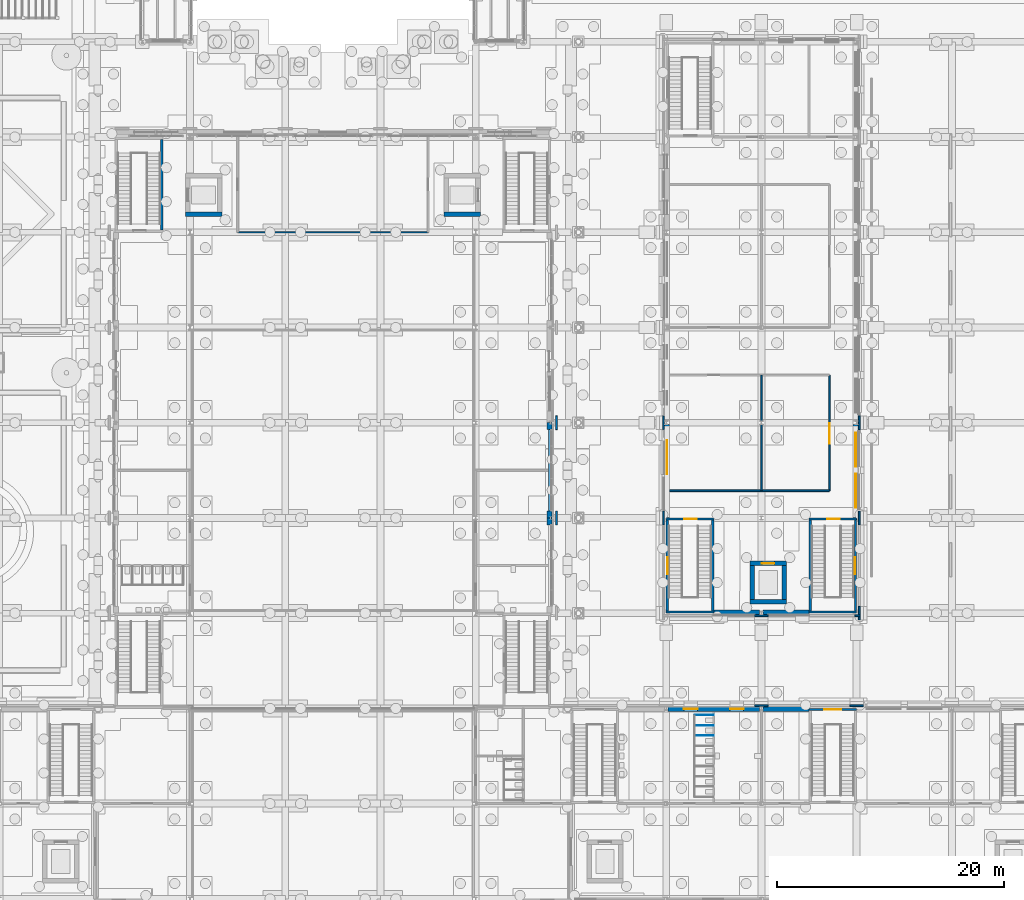
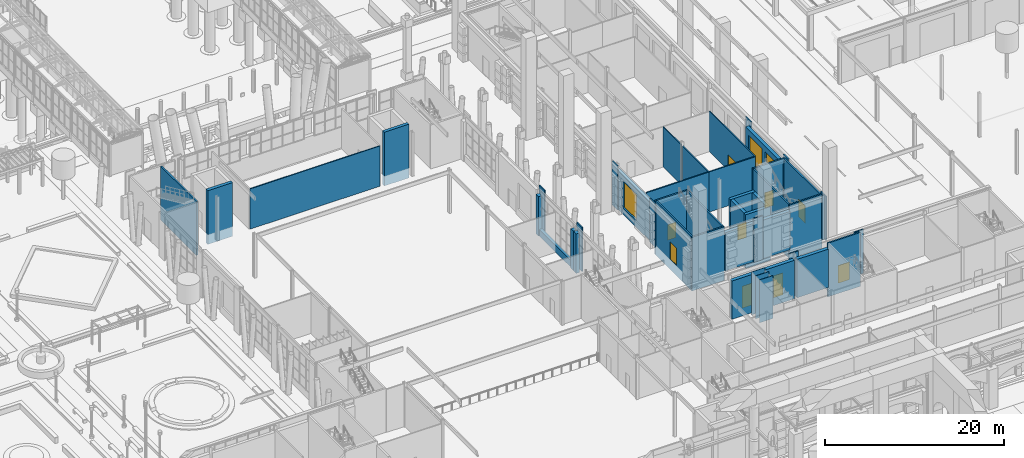
# One storey, part 95 of 222: 46 walls, 7 doors, 5 windows, 12 openings.
"""IFC4 building model written with IfcOpenShell, lengths in metres."""

from ifc_helpers import new_model, si_unit, direction, frame, frame_2d, origin, place, context, subcontext, project, spatial, rectangle, extrude, material, layer, layer_set, type_object, element, fill, save


model = new_model("IFC4")

# Units and contexts
model_context = context("Model", 3, precision=1e-05, world=origin(), true_north=direction((0.0, 1.0)))
body_context = subcontext(model_context, "Body", "Model", "MODEL_VIEW")
ifc_project = project(units=[si_unit("LENGTHUNIT", "METRE"), si_unit("AREAUNIT", "SQUARE_METRE"), si_unit("VOLUMEUNIT", "CUBIC_METRE"), si_unit("PLANEANGLEUNIT", "RADIAN"), si_unit("MASSUNIT", "GRAM", prefix="KILO")], contexts=[model_context])

# Site, building, storey
site_placement = place(None, origin())
site = spatial("IfcSite", under=ifc_project, at=site_placement, CompositionType="ELEMENT")
building_placement = place(site_placement, origin())
building = spatial("IfcBuilding", under=site, at=building_placement, Name="Sava Quay Ferry Terminal", CompositionType="ELEMENT")
storey_placement = place(building_placement, origin())
storey = spatial("IfcBuildingStorey", under=building, at=storey_placement, Name="L00", CompositionType="ELEMENT", Elevation=0.0)

# Walls
ifc_material_1 = material(Name="High-pressure laminate panel")
ifc_layer_1 = layer(ifc_material_1, 0.050048828125)
ifc_layer_set_1 = layer_set([ifc_layer_1], Name="High-pressure laminate panel")
wall_type_1 = type_object("IfcWallType", Name="Cubicle partition 50", PredefinedType="PARTITIONING", material=ifc_layer_set_1)
for number, where, z_axis, x_axis, name in (
    (1, (96.60009765625, 48.0, 0.0), (0.0, 0.0, 1.0), (-1.0, 0.0, 0.0), "Cubicle partition panel"),
    (2, (96.60009765625, 48.89990234375, 0.0), (0.0, 0.0, 1.0), (-1.0, 0.0, 0.0), "Cubicle partition panel"),
    (3, (96.60009765625, 49.800048828125, 0.0), (0.0, 0.0, 1.0), (-1.0, 0.0, 0.0), "Cubicle partition panel"),
):
    element("IfcWall", number, at=place(storey_placement, frame(where, z_axis=z_axis, x_axis=x_axis)), inside=storey, type_object=wall_type_1, Name=name, PredefinedType="PARTITIONING", context=body_context, shape_type="SweptSolid", body=[
        extrude(rectangle(XDim=1.7001953125, YDim=0.050048828125, at=frame_2d((0.85009765625, 0.0))), origin(), (0.0, 0.0, 1.0), 5.8701171875),
    ])
ifc_material_2 = material(Name="Limestone Mutalj", Category="masonry")
ifc_layer_2 = layer(ifc_material_2, 0.35009765625)
ifc_layer_set_2 = layer_set([ifc_layer_2], Name="Limestone Mutalj")
wall_type_2 = type_object("IfcWallType", Name="Limestone kerb and parapet 350", PredefinedType="SOLIDWALL", material=ifc_layer_set_2)
wall_1_placement = place(storey_placement, frame((82.175048828125, 67.800048828125, 0.0), z_axis=(0.0, 0.0, 1.0), x_axis=(0.0, 1.0, 0.0)))
element("IfcWall", 4, at=wall_1_placement, inside=storey, type_object=wall_type_2, Name="External wall D", PredefinedType="SOLIDWALL", context=body_context, shape_type="SweptSolid", body=[
    extrude(rectangle(XDim=7.199951171875, YDim=0.35009765625, at=frame_2d((3.60009765625, 0.0))), origin(), (0.0, 0.0, 1.0), 0.89990234375),
])
ifc_material_3 = material(Name="Limestone Mutalj", Category="masonry")
ifc_layer_3 = layer(ifc_material_3, 0.14990234375)
ifc_layer_set_3 = layer_set([ifc_layer_3], Name="Limestone Mutalj")
wall_type_3 = type_object("IfcWallType", Name="Pier cladding 150", PredefinedType="SOLIDWALL", material=ifc_layer_set_3)
for number, where, z_axis, x_axis, name in (
    (5, (100.199951171875, 50.635009765625, 0.0), (0.0, 0.0, 1.0), (1.0, 0.0, 0.0), "Pier P-N grid 100.8"),
    (6, (108.60009765625, 50.635009765625, 0.0), (0.0, 0.0, 1.0), (1.0, 0.0, 0.0), "Pier P-N grid 109.2"),
    (7, (100.199951171875, 58.56494140625, 0.0), (0.0, 0.0, 1.0), (1.0, 0.0, 0.0), "Pier O-S grid 100.8"),
):
    element("IfcWall", number, at=place(storey_placement, frame(where, z_axis=z_axis, x_axis=x_axis)), inside=storey, type_object=wall_type_3, Name=name, PredefinedType="SOLIDWALL", context=body_context, shape_type="SweptSolid", body=[
        extrude(rectangle(XDim=1.199951171875, YDim=0.14990234375, at=frame_2d((0.60009765625, 0.0))), origin(), (0.0, 0.0, 1.0), 6.0),
    ])
wall_2_placement = place(storey_placement, frame((109.050048828125, 58.56494140625, 0.0), z_axis=(0.0, 0.0, 1.0), x_axis=(1.0, 0.0, 0.0)))
element("IfcWall", 8, at=wall_2_placement, inside=storey, type_object=wall_type_3, Name="Pier O-S grid 109.2", PredefinedType="SOLIDWALL", context=body_context, shape_type="SweptSolid", body=[
    extrude(rectangle(XDim=0.449951171875, YDim=0.14990234375, at=frame_2d((0.22509765625, 0.0))), origin(), (0.0, 0.0, 1.0), 6.0),
])
for number, where, z_axis, x_axis, name in (
    (9, (92.175048828125, 66.60009765625, 0.0), (0.0, 0.0, 1.0), (0.0, 1.0, 0.0), "Pier O-W grid 67.2"),
    (10, (92.175048828125, 75.0, 0.0), (0.0, 0.0, 1.0), (0.0, 1.0, 0.0), "Pier O-W grid 75.6"),
    (11, (109.425048828125, 58.199951171875, 0.0), (0.0, 0.0, 1.0), (0.0, 1.0, 0.0), "Pier O-E grid 58.8"),
    (12, (109.425048828125, 66.60009765625, 0.0), (0.0, 0.0, 1.0), (0.0, 1.0, 0.0), "Pier O-E grid 67.2"),
    (13, (109.425048828125, 75.0, 0.0), (0.0, 0.0, 1.0), (0.0, 1.0, 0.0), "Pier O-E grid 75.6"),
    (14, (82.72509765625, 66.60009765625, 0.0), (0.0, 0.0, 1.0), (0.0, 1.0, 0.0), "External wall D"),
    (15, (82.72509765625, 75.0, 0.0), (0.0, 0.0, 1.0), (0.0, 1.0, 0.0), "External wall D"),
):
    element("IfcWall", number, at=place(storey_placement, frame(where, z_axis=z_axis, x_axis=x_axis)), inside=storey, type_object=wall_type_3, Name=name, PredefinedType="SOLIDWALL", context=body_context, shape_type="SweptSolid", body=[
        extrude(rectangle(XDim=1.199951171875, YDim=0.14990234375, at=frame_2d((0.60009765625, 0.0))), origin(), (0.0, 0.0, 1.0), 6.0),
    ])
ifc_material_4 = material(Name="Masonry blockwork", Category="masonry")
ifc_layer_4 = layer(ifc_material_4, 0.14990234375)
ifc_layer_set_4 = layer_set([ifc_layer_4], Name="Masonry blockwork")
wall_type_4 = type_object("IfcWallType", Name="Plant, store and lobby wall, blockwork 150", PredefinedType="PARTITIONING", material=ifc_layer_set_4)
wall_3_placement = place(storey_placement, frame((92.700439453125, 69.60009765625, 0.0), z_axis=(0.0, 0.0, 1.0), x_axis=(1.0, 0.0, 0.0)))
element("IfcWall", 16, at=wall_3_placement, inside=storey, type_object=wall_type_4, Name="Plant, store and lobby wall, blockwork 150", PredefinedType="PARTITIONING", context=body_context, shape_type="SweptSolid", body=[
    extrude(rectangle(XDim=8.099609375, YDim=0.14990234375, at=frame_2d((4.0498046875, 0.0))), origin(), (0.0, 0.0, 1.0), 5.47998046875),
])
wall_4_placement = place(storey_placement, frame((100.800048828125, 69.60009765625, 0.0), z_axis=(0.0, 0.0, 1.0), x_axis=(1.0, 0.0, 0.0)))
element("IfcWall", 17, at=wall_4_placement, inside=storey, type_object=wall_type_4, Name="Plant, store and lobby wall, blockwork 150", PredefinedType="PARTITIONING", context=body_context, shape_type="SweptSolid", body=[
    extrude(rectangle(XDim=6.0, YDim=0.14990234375, at=frame_2d((3.0, 0.0))), origin(), (0.0, 0.0, 1.0), 5.47998046875),
])
ifc_material_5 = material(Name="Concrete C35/45", Category="concrete")
ifc_layer_5 = layer(ifc_material_5, 0.199951171875)
ifc_layer_set_5 = layer_set([ifc_layer_5], Name="Concrete C35/45")
wall_type_5 = type_object("IfcWallType", Name="RC core wall 200", PredefinedType="SHEAR", material=ifc_layer_set_5)
wall_5_placement = place(storey_placement, frame((47.89990234375, 92.60009765625, -1.35009765625), z_axis=(0.0, 0.0, 1.0), x_axis=(0.0, 1.0, 0.0)))
element("IfcWall", 18, at=wall_5_placement, inside=storey, type_object=wall_type_5, Name="Core wall ST-D5 E L00", PredefinedType="SHEAR", context=body_context, shape_type="SweptSolid", body=[
    extrude(rectangle(XDim=8.0, YDim=0.199951171875, at=frame_2d((4.0, 0.0))), origin(), (0.0, 0.0, 1.0), 7.35009765625),
])
wall_6_placement = place(storey_placement, frame((92.39990234375, 58.89990234375, -1.35009765625), z_axis=(0.0, 0.0, 1.0), x_axis=(1.0, 0.0, 0.0)))
element("IfcWall", 19, at=wall_6_placement, inside=storey, type_object=wall_type_5, Name="Core wall ST-O1 S L00", PredefinedType="SHEAR", context=body_context, shape_type="SweptSolid", body=[
    extrude(rectangle(XDim=4.2001953125, YDim=0.199951171875, at=frame_2d((2.10009765625, 0.0))), origin(), (0.0, 0.0, 1.0), 7.35009765625),
])

# Wall, opening, door
wall_7_placement = place(storey_placement, frame((92.39990234375, 67.10009765625, -1.35009765625), z_axis=(0.0, 0.0, 1.0), x_axis=(1.0, 0.0, 0.0)))
wall_7 = element("IfcWall", 20, at=wall_7_placement, inside=storey, type_object=wall_type_5, Name="Core wall ST-O1 N L00", PredefinedType="SHEAR", context=body_context, shape_type="SweptSolid", body=[
    extrude(rectangle(XDim=4.2001953125, YDim=0.199951171875, at=frame_2d((2.10009765625, 0.0))), origin(), (0.0, 0.0, 1.0), 7.35009765625),
])
opening_1_placement = place(wall_7_placement, frame((1.60009765625, 0.0, 1.35009765625)))
opening_1 = element("IfcOpeningElement", 21, at=opening_1_placement, cuts=wall_7, Name="Opening DS0013", PredefinedType="OPENING", context=body_context, shape_type="SweptSolid", body=[
    extrude(rectangle(XDim=1.10009765625, YDim=2.10009765625, at=frame_2d((0.550048828125, 1.050048828125))), frame((0.0, 0.10009765625, 0.0), z_axis=(0.0, -1.0, 0.0), x_axis=(1.0, 0.0, 0.0)), (0.0, 0.0, 1.0), 0.199951171875),
])
ifc_material_6 = material(Name="Steel fire door set", Category="steel")
door_type_1 = type_object("IfcDoorType", Name="Stair fire door 1100 x 2100", OperationType="NOTDEFINED", PredefinedType="DOOR", material=ifc_material_6)
door_1_placement = place(opening_1_placement, origin())
door_1 = element("IfcDoor", 22, at=door_1_placement, inside=storey, type_object=door_type_1, Name="Door DS0013", OperationType="SINGLE_SWING_RIGHT", OverallHeight=2.10009765625, OverallWidth=1.10009765625, PredefinedType="DOOR", context=body_context, shape_type="SweptSolid", body=[
    extrude(rectangle(XDim=1.10009765625, YDim=2.10009765625, at=frame_2d((0.550048828125, 1.050048828125))), frame((0.0, 0.02490234375, 0.0), z_axis=(0.0, -1.0, 0.0), x_axis=(1.0, 0.0, 0.0)), (0.0, 0.0, 1.0), 0.050048828125),
])
fill(opening_1, door_1)

wall_8_placement = place(storey_placement, frame((92.5, 59.0, -1.35009765625), z_axis=(0.0, 0.0, 1.0), x_axis=(0.0, 1.0, 0.0)))
wall_8 = element("IfcWall", 23, at=wall_8_placement, inside=storey, type_object=wall_type_5, Name="Core wall ST-O1 W L00", PredefinedType="SHEAR", context=body_context, shape_type="SweptSolid", body=[
    extrude(rectangle(XDim=8.0, YDim=0.199951171875, at=frame_2d((4.0, 0.0))), origin(), (0.0, 0.0, 1.0), 7.35009765625),
])
opening_2_placement = place(wall_8_placement, frame((3.25, 0.0, 1.35009765625)))
opening_2 = element("IfcOpeningElement", 24, at=opening_2_placement, cuts=wall_8, Name="Opening DX-O1", PredefinedType="OPENING", context=body_context, shape_type="SweptSolid", body=[
    extrude(rectangle(XDim=1.5, YDim=2.39990234375, at=frame_2d((0.75, 1.199951171875))), frame((0.0, 0.10009765625, 0.0), z_axis=(0.0, -1.0, 0.0), x_axis=(1.0, 0.0, 0.0)), (0.0, 0.0, 1.0), 0.199951171875),
])
ifc_material_7 = material(Name="Aluminium bronze anodised, glazing safety laminated", Category="aluminium")
door_type_2 = type_object("IfcDoorType", Name="Exit door 1500x2400", OperationType="DOUBLE_DOOR_SINGLE_SWING", PredefinedType="DOOR", material=ifc_material_7)
door_2_placement = place(opening_2_placement, origin())
door_2 = element("IfcDoor", 25, at=door_2_placement, inside=storey, type_object=door_type_2, Name="Door DX-O1", OperationType="DOUBLE_DOOR_SINGLE_SWING", OverallHeight=2.39990234375, OverallWidth=1.5, PredefinedType="DOOR", context=body_context, shape_type="SweptSolid", body=[
    extrude(rectangle(XDim=1.5, YDim=2.39990234375, at=frame_2d((0.75, 1.199951171875))), frame((0.0, 0.02490234375, 0.0), z_axis=(0.0, -1.0, 0.0), x_axis=(1.0, 0.0, 0.0)), (0.0, 0.0, 1.0), 0.050048828125),
])
fill(opening_2, door_2)

# Walls
wall_9_placement = place(storey_placement, frame((96.5, 59.0, -1.35009765625), z_axis=(0.0, 0.0, 1.0), x_axis=(0.0, 1.0, 0.0)))
element("IfcWall", 26, at=wall_9_placement, inside=storey, type_object=wall_type_5, Name="Core wall ST-O1 E L00", PredefinedType="SHEAR", context=body_context, shape_type="SweptSolid", body=[
    extrude(rectangle(XDim=8.0, YDim=0.199951171875, at=frame_2d((4.0, 0.0))), origin(), (0.0, 0.0, 1.0), 7.35009765625),
])
wall_10_placement = place(storey_placement, frame((105.0, 58.89990234375, -1.35009765625), z_axis=(0.0, 0.0, 1.0), x_axis=(1.0, 0.0, 0.0)))
element("IfcWall", 27, at=wall_10_placement, inside=storey, type_object=wall_type_5, Name="Core wall ST-O2 S L00", PredefinedType="SHEAR", context=body_context, shape_type="SweptSolid", body=[
    extrude(rectangle(XDim=4.199951171875, YDim=0.199951171875, at=frame_2d((2.10009765625, 0.0))), origin(), (0.0, 0.0, 1.0), 7.35009765625),
])

# Wall, opening, door
wall_11_placement = place(storey_placement, frame((105.0, 67.10009765625, -1.35009765625), z_axis=(0.0, 0.0, 1.0), x_axis=(1.0, 0.0, 0.0)))
wall_11 = element("IfcWall", 28, at=wall_11_placement, inside=storey, type_object=wall_type_5, Name="Core wall ST-O2 N L00", PredefinedType="SHEAR", context=body_context, shape_type="SweptSolid", body=[
    extrude(rectangle(XDim=4.199951171875, YDim=0.199951171875, at=frame_2d((2.10009765625, 0.0))), origin(), (0.0, 0.0, 1.0), 7.35009765625),
])
opening_3_placement = place(wall_11_placement, frame((1.60009765625, 0.0, 1.35009765625)))
opening_3 = element("IfcOpeningElement", 29, at=opening_3_placement, cuts=wall_11, Name="Opening DS0014", PredefinedType="OPENING", context=body_context, shape_type="SweptSolid", body=[
    extrude(rectangle(XDim=1.10009765625, YDim=2.10009765625, at=frame_2d((0.550048828125, 1.050048828125))), frame((0.0, 0.10009765625, 0.0), z_axis=(0.0, -1.0, 0.0), x_axis=(1.0, 0.0, 0.0)), (0.0, 0.0, 1.0), 0.199951171875),
])
door_3_placement = place(opening_3_placement, origin())
door_3 = element("IfcDoor", 30, at=door_3_placement, inside=storey, type_object=door_type_1, Name="Door DS0014", OperationType="SINGLE_SWING_RIGHT", OverallHeight=2.10009765625, OverallWidth=1.10009765625, PredefinedType="DOOR", context=body_context, shape_type="SweptSolid", body=[
    extrude(rectangle(XDim=1.10009765625, YDim=2.10009765625, at=frame_2d((0.550048828125, 1.050048828125))), frame((0.0, 0.02490234375, 0.0), z_axis=(0.0, -1.0, 0.0), x_axis=(1.0, 0.0, 0.0)), (0.0, 0.0, 1.0), 0.050048828125),
])
fill(opening_3, door_3)

# Wall
wall_12_placement = place(storey_placement, frame((105.10009765625, 59.0, -1.35009765625), z_axis=(0.0, 0.0, 1.0), x_axis=(0.0, 1.0, 0.0)))
element("IfcWall", 31, at=wall_12_placement, inside=storey, type_object=wall_type_5, Name="Core wall ST-O2 W L00", PredefinedType="SHEAR", context=body_context, shape_type="SweptSolid", body=[
    extrude(rectangle(XDim=8.0, YDim=0.199951171875, at=frame_2d((4.0, 0.0))), origin(), (0.0, 0.0, 1.0), 7.35009765625),
])

# Wall, opening, door
wall_13_placement = place(storey_placement, frame((109.10009765625, 59.0, -1.35009765625), z_axis=(0.0, 0.0, 1.0), x_axis=(0.0, 1.0, 0.0)))
wall_13 = element("IfcWall", 32, at=wall_13_placement, inside=storey, type_object=wall_type_5, Name="Core wall ST-O2 E L00", PredefinedType="SHEAR", context=body_context, shape_type="SweptSolid", body=[
    extrude(rectangle(XDim=8.0, YDim=0.199951171875, at=frame_2d((4.0, 0.0))), origin(), (0.0, 0.0, 1.0), 7.35009765625),
])
opening_4_placement = place(wall_13_placement, frame((3.25, 0.0, 1.35009765625)))
opening_4 = element("IfcOpeningElement", 33, at=opening_4_placement, cuts=wall_13, Name="Opening DX-O2", PredefinedType="OPENING", context=body_context, shape_type="SweptSolid", body=[
    extrude(rectangle(XDim=1.5, YDim=2.39990234375, at=frame_2d((0.75, 1.199951171875))), frame((0.0, 0.10009765625, 0.0), z_axis=(0.0, -1.0, 0.0), x_axis=(1.0, 0.0, 0.0)), (0.0, 0.0, 1.0), 0.199951171875),
])
door_4_placement = place(opening_4_placement, frame((1.5, 0.050048828125, 0.0), z_axis=(0.0, 0.0, 1.0), x_axis=(-1.0, 0.0, 0.0)))
door_4 = element("IfcDoor", 34, at=door_4_placement, inside=storey, type_object=door_type_2, Name="Door DX-O2", OperationType="DOUBLE_DOOR_SINGLE_SWING", OverallHeight=2.39990234375, OverallWidth=1.5, PredefinedType="DOOR", context=body_context, shape_type="SweptSolid", body=[
    extrude(rectangle(XDim=1.5, YDim=2.39990234375, at=frame_2d((0.75, 1.199951171875))), frame((0.0, 0.02490234375, 0.0), z_axis=(0.0, -1.0, 0.0), x_axis=(1.0, 0.0, 0.0)), (0.0, 0.0, 1.0), 0.050048828125),
])
fill(opening_4, door_4)

wall_14_placement = place(storey_placement, frame((105.0, 50.300048828125, -1.35009765625), z_axis=(0.0, 0.0, 1.0), x_axis=(1.0, 0.0, 0.0)))
wall_14 = element("IfcWall", 35, at=wall_14_placement, inside=storey, type_object=wall_type_5, Name="Core wall ST-P3 N L00", PredefinedType="SHEAR", context=body_context, shape_type="SweptSolid", body=[
    extrude(rectangle(XDim=4.199951171875, YDim=0.199951171875, at=frame_2d((2.10009765625, 0.0))), origin(), (0.0, 0.0, 1.0), 7.35009765625),
])
opening_5_placement = place(wall_14_placement, frame((1.35009765625, 0.0, 1.35009765625)))
opening_5 = element("IfcOpeningElement", 36, at=opening_5_placement, cuts=wall_14, Name="Opening DX-P4", PredefinedType="OPENING", context=body_context, shape_type="SweptSolid", body=[
    extrude(rectangle(XDim=1.5, YDim=2.39990234375, at=frame_2d((0.75, 1.199951171875))), frame((0.0, 0.10009765625, 0.0), z_axis=(0.0, -1.0, 0.0), x_axis=(1.0, 0.0, 0.0)), (0.0, 0.0, 1.0), 0.199951171875),
])
door_5_placement = place(opening_5_placement, origin())
door_5 = element("IfcDoor", 37, at=door_5_placement, inside=storey, type_object=door_type_2, Name="Door DX-P4", OperationType="DOUBLE_DOOR_SINGLE_SWING", OverallHeight=2.39990234375, OverallWidth=1.5, PredefinedType="DOOR", context=body_context, shape_type="SweptSolid", body=[
    extrude(rectangle(XDim=1.5, YDim=2.39990234375, at=frame_2d((0.75, 1.199951171875))), frame((0.0, 0.02490234375, 0.0), z_axis=(0.0, -1.0, 0.0), x_axis=(1.0, 0.0, 0.0)), (0.0, 0.0, 1.0), 0.050048828125),
])
fill(opening_5, door_5)

# Wall
ifc_material_8 = material(Name="Concrete C35/45", Category="concrete")
ifc_layer_6 = layer(ifc_material_8, 0.39990234375)
ifc_layer_set_6 = layer_set([ifc_layer_6], Name="Concrete C35/45")
wall_type_6 = type_object("IfcWallType", Name="RC core wall 400", PredefinedType="SHEAR", material=ifc_layer_set_6)
wall_15_placement = place(storey_placement, frame((99.800048828125, 59.800048828125, -1.35009765625), z_axis=(0.0, 0.0, 1.0), x_axis=(1.0, 0.0, 0.0)))
element("IfcWall", 38, at=wall_15_placement, inside=storey, type_object=wall_type_6, Name="Core wall LF-O1 S L00", PredefinedType="SHEAR", context=body_context, shape_type="SweptSolid", body=[
    extrude(rectangle(XDim=3.199951171875, YDim=0.39990234375, at=frame_2d((1.60009765625, 0.0))), origin(), (0.0, 0.0, 1.0), 7.35009765625),
])

# Wall, opening, door
wall_16_placement = place(storey_placement, frame((99.800048828125, 63.199951171875, -1.35009765625), z_axis=(0.0, 0.0, 1.0), x_axis=(1.0, 0.0, 0.0)))
wall_16 = element("IfcWall", 39, at=wall_16_placement, inside=storey, type_object=wall_type_6, Name="Core wall LF-O1 N L00", PredefinedType="SHEAR", context=body_context, shape_type="SweptSolid", body=[
    extrude(rectangle(XDim=3.199951171875, YDim=0.39990234375, at=frame_2d((1.60009765625, 0.0))), origin(), (0.0, 0.0, 1.0), 7.35009765625),
])
opening_6_placement = place(wall_16_placement, frame((1.050048828125, 0.0, 1.35009765625)))
opening_6 = element("IfcOpeningElement", 40, at=opening_6_placement, cuts=wall_16, Name="Opening LD0007", PredefinedType="OPENING", context=body_context, shape_type="SweptSolid", body=[
    extrude(rectangle(XDim=1.10009765625, YDim=2.10009765625, at=frame_2d((0.550048828125, 1.050048828125))), frame((0.0, 0.199951171875, 0.0), z_axis=(0.0, -1.0, 0.0), x_axis=(1.0, 0.0, 0.0)), (0.0, 0.0, 1.0), 0.39990234375),
])
ifc_material_9 = material(Name="Stainless steel", Category="steel")
door_type_3 = type_object("IfcDoorType", Name="Lift landing door 1100 x 2100", OperationType="NOTDEFINED", PredefinedType="DOOR", material=ifc_material_9)
door_6_placement = place(opening_6_placement, origin())
door_6 = element("IfcDoor", 41, at=door_6_placement, inside=storey, type_object=door_type_3, Name="Door LD0007", OperationType="SLIDING_TO_LEFT", OverallHeight=2.10009765625, OverallWidth=1.10009765625, PredefinedType="DOOR", context=body_context, shape_type="SweptSolid", body=[
    extrude(rectangle(XDim=1.10009765625, YDim=2.10009765625, at=frame_2d((0.550048828125, 1.050048828125))), frame((0.0, 0.02490234375, 0.0), z_axis=(0.0, -1.0, 0.0), x_axis=(1.0, 0.0, 0.0)), (0.0, 0.0, 1.0), 0.050048828125),
])
fill(opening_6, door_6)

# Walls
for number, where, z_axis, x_axis, name in (
    (42, (100.0, 60.0, -1.35009765625), (0.0, 0.0, 1.0), (0.0, 1.0, 0.0), "Core wall LF-O1 W L00"),
    (43, (102.800048828125, 60.0, -1.35009765625), (0.0, 0.0, 1.0), (0.0, 1.0, 0.0), "Core wall LF-O1 E L00"),
):
    element("IfcWall", number, at=place(storey_placement, frame(where, z_axis=z_axis, x_axis=x_axis)), inside=storey, type_object=wall_type_6, Name=name, PredefinedType="SHEAR", context=body_context, shape_type="SweptSolid", body=[
        extrude(rectangle(XDim=3.0, YDim=0.39990234375, at=frame_2d((1.5, 0.0))), origin(), (0.0, 0.0, 1.0), 7.35009765625),
    ])
for number, where, z_axis, x_axis, name in (
    (44, (50.0, 94.0, -1.35009765625), (0.0, 0.0, 1.0), (1.0, 0.0, 0.0), "Core wall LF-D2 S L00"),
    (45, (72.800048828125, 94.0, -1.35009765625), (0.0, 0.0, 1.0), (1.0, 0.0, 0.0), "Core wall LF-D3 S L00"),
):
    element("IfcWall", number, at=place(storey_placement, frame(where, z_axis=z_axis, x_axis=x_axis)), inside=storey, type_object=wall_type_6, Name=name, PredefinedType="SHEAR", context=body_context, shape_type="SweptSolid", body=[
        extrude(rectangle(XDim=3.199951171875, YDim=0.39990234375, at=frame_2d((1.60009765625, 0.0))), origin(), (0.0, 0.0, 1.0), 7.35009765625),
    ])
ifc_material_10 = material(Name="Plasterboard on steel studs", Category="steel")
ifc_layer_7 = layer(ifc_material_10, 0.125)
ifc_layer_set_7 = layer_set([ifc_layer_7], Name="Plasterboard on steel studs")
wall_type_7 = type_object("IfcWallType", Name="Room partition, plasterboard on steel studs 125", PredefinedType="PARTITIONING", material=ifc_layer_set_7)
wall_17_placement = place(storey_placement, frame((54.60009765625, 92.39990234375, 0.0), z_axis=(0.0, 0.0, 1.0), x_axis=(1.0, 0.0, 0.0)))
element("IfcWall", 46, at=wall_17_placement, inside=storey, type_object=wall_type_7, Name="Room partition, plasterboard on steel studs 125", PredefinedType="PARTITIONING", context=body_context, shape_type="SweptSolid", body=[
    extrude(rectangle(XDim=16.7998046875, YDim=0.125, at=frame_2d((8.39990234375, 0.0))), origin(), (0.0, 0.0, 1.0), 5.510009765625),
])
wall_18_placement = place(storey_placement, frame((100.800048828125, 69.60009765625, 0.0), z_axis=(0.0, 0.0, 1.0), x_axis=(0.0, 1.0, 0.0)))
element("IfcWall", 47, at=wall_18_placement, inside=storey, type_object=wall_type_7, Name="Room partition, plasterboard on steel studs 125", PredefinedType="PARTITIONING", context=body_context, shape_type="SweptSolid", body=[
    extrude(rectangle(XDim=5.83984375, YDim=0.125, at=frame_2d((2.919921875, 0.0))), origin(), (0.0, 0.0, 1.0), 5.47998046875),
])
wall_19_placement = place(storey_placement, frame((100.800048828125, 75.760009765625, 0.0), z_axis=(0.0, 0.0, 1.0), x_axis=(0.0, 1.0, 0.0)))
element("IfcWall", 48, at=wall_19_placement, inside=storey, type_object=wall_type_7, Name="Room partition, plasterboard on steel studs 125", PredefinedType="PARTITIONING", context=body_context, shape_type="SweptSolid", body=[
    extrude(rectangle(XDim=4.0400390625, YDim=0.125, at=frame_2d((2.02001953125, 0.0))), origin(), (0.0, 0.0, 1.0), 5.47998046875),
])

# Wall, opening, door
wall_20_placement = place(storey_placement, frame((106.800048828125, 69.60009765625, 0.0), z_axis=(0.0, 0.0, 1.0), x_axis=(0.0, 1.0, 0.0)))
wall_20 = element("IfcWall", 49, at=wall_20_placement, inside=storey, type_object=wall_type_7, Name="Room partition, plasterboard on steel studs 125", PredefinedType="PARTITIONING", context=body_context, shape_type="SweptSolid", body=[
    extrude(rectangle(XDim=10.199951171875, YDim=0.125, at=frame_2d((5.10009765625, 0.0))), origin(), (0.0, 0.0, 1.0), 5.510009765625),
])
opening_7_placement = place(wall_20_placement, frame((4.14990234375, 0.0, 0.0)))
opening_7 = element("IfcOpeningElement", 50, at=opening_7_placement, cuts=wall_20, Name="Opening D0026", PredefinedType="OPENING", context=body_context, shape_type="SweptSolid", body=[
    extrude(rectangle(XDim=1.800048828125, YDim=2.10009765625, at=frame_2d((0.89990234375, 1.050048828125))), frame((0.0, 0.0625, 0.0), z_axis=(0.0, -1.0, 0.0), x_axis=(1.0, 0.0, 0.0)), (0.0, 0.0, 1.0), 0.125),
])
ifc_material_11 = material(Name="Timber door set", Category="wood")
door_type_4 = type_object("IfcDoorType", Name="Double door 1800 x 2100", OperationType="NOTDEFINED", PredefinedType="DOOR", material=ifc_material_11)
door_7_placement = place(opening_7_placement, origin())
door_7 = element("IfcDoor", 51, at=door_7_placement, inside=storey, type_object=door_type_4, Name="Door D0026", OperationType="DOUBLE_DOOR_DOUBLE_SWING", OverallHeight=2.10009765625, OverallWidth=1.800048828125, PredefinedType="DOOR", context=body_context, shape_type="SweptSolid", body=[
    extrude(rectangle(XDim=1.800048828125, YDim=2.10009765625, at=frame_2d((0.89990234375, 1.050048828125))), frame((0.0, 0.02490234375, 0.0), z_axis=(0.0, -1.0, 0.0), x_axis=(1.0, 0.0, 0.0)), (0.0, 0.0, 1.0), 0.050048828125),
])
fill(opening_7, door_7)

# Wall, openings, windows
ifc_material_12 = material(Name="Limestone Mutalj", Category="masonry")
ifc_layer_8 = layer(ifc_material_12, 0.449951171875)
ifc_layer_set_8 = layer_set([ifc_layer_8], Name="Limestone Mutalj")
wall_type_8 = type_object("IfcWallType", Name="Rusticated limestone infill 450", PredefinedType="SOLIDWALL", material=ifc_layer_set_8)
wall_21_placement = place(storey_placement, frame((92.550048828125, 50.3349609375, 0.0), z_axis=(0.0, 0.0, 1.0), x_axis=(1.0, 0.0, 0.0)))
wall_21 = element("IfcWall", 52, at=wall_21_placement, inside=storey, type_object=wall_type_8, Name="External wall P-N", PredefinedType="SOLIDWALL", context=body_context, shape_type="SweptSolid", body=[
    extrude(rectangle(XDim=8.099853515625, YDim=0.449951171875, at=frame_2d((4.0498046875, 0.0))), origin(), (0.0, 0.0, 1.0), 5.25),
])
opening_8_placement = place(wall_21_placement, frame((1.418701171875, 0.0, 0.89990234375)))
opening_8 = element("IfcOpeningElement", 53, at=opening_8_placement, cuts=wall_21, Name="Opening W-E1", PredefinedType="OPENING", context=body_context, shape_type="SweptSolid", body=[
    extrude(rectangle(XDim=1.199951171875, YDim=3.0, at=frame_2d((0.60009765625, 1.5))), frame((0.0, 0.22509765625, 0.0), z_axis=(0.0, -1.0, 0.0), x_axis=(1.0, 0.0, 0.0)), (0.0, 0.0, 1.0), 0.449951171875),
])
opening_9_placement = place(wall_21_placement, frame((5.481201171875, 0.0, 0.89990234375)))
opening_9 = element("IfcOpeningElement", 54, at=opening_9_placement, cuts=wall_21, Name="Opening W-E1", PredefinedType="OPENING", context=body_context, shape_type="SweptSolid", body=[
    extrude(rectangle(XDim=1.199951171875, YDim=3.0, at=frame_2d((0.60009765625, 1.5))), frame((0.0, 0.22509765625, 0.0), z_axis=(0.0, -1.0, 0.0), x_axis=(1.0, 0.0, 0.0)), (0.0, 0.0, 1.0), 0.449951171875),
])
ifc_material_13 = material(Name="Aluminium bronze anodised frame, glazing double low-e Ug 1.1", Category="aluminium")
window_type_1 = type_object("IfcWindowType", Name="Entrance sidelight 1200x3000", PartitioningType="SINGLE_PANEL", PredefinedType="WINDOW", material=ifc_material_13)
window_1_placement = place(opening_8_placement, origin())
window_1 = element("IfcWindow", 55, at=window_1_placement, inside=storey, type_object=window_type_1, Name="Window W-E1", OverallHeight=3.0, OverallWidth=1.199951171875, PartitioningType="SINGLE_PANEL", PredefinedType="WINDOW", context=body_context, shape_type="SweptSolid", body=[
    extrude(rectangle(XDim=1.199951171875, YDim=3.0, at=frame_2d((0.60009765625, 1.5))), frame((0.0, 0.030029296875, 0.0), z_axis=(0.0, -1.0, 0.0), x_axis=(1.0, 0.0, 0.0)), (0.0, 0.0, 1.0), 0.06005859375),
])
fill(opening_8, window_1)
window_2_placement = place(opening_9_placement, origin())
window_2 = element("IfcWindow", 56, at=window_2_placement, inside=storey, type_object=window_type_1, Name="Window W-E1", OverallHeight=3.0, OverallWidth=1.199951171875, PartitioningType="SINGLE_PANEL", PredefinedType="WINDOW", context=body_context, shape_type="SweptSolid", body=[
    extrude(rectangle(XDim=1.199951171875, YDim=3.0, at=frame_2d((0.60009765625, 1.5))), frame((0.0, 0.030029296875, 0.0), z_axis=(0.0, -1.0, 0.0), x_axis=(1.0, 0.0, 0.0)), (0.0, 0.0, 1.0), 0.06005859375),
])
fill(opening_9, window_2)

# Walls
wall_22_placement = place(storey_placement, frame((100.949951171875, 50.3349609375, 0.0), z_axis=(0.0, 0.0, 1.0), x_axis=(1.0, 0.0, 0.0)))
element("IfcWall", 57, at=wall_22_placement, inside=storey, type_object=wall_type_8, Name="External wall P-N", PredefinedType="SOLIDWALL", context=body_context, shape_type="SweptSolid", body=[
    extrude(rectangle(XDim=4.050048828125, YDim=0.449951171875, at=frame_2d((2.02490234375, 0.0))), origin(), (0.0, 0.0, 1.0), 5.25),
])
wall_23_placement = place(storey_placement, frame((96.60009765625, 58.864990234375, 0.0), z_axis=(0.0, 0.0, 1.0), x_axis=(1.0, 0.0, 0.0)))
element("IfcWall", 58, at=wall_23_placement, inside=storey, type_object=wall_type_8, Name="External wall O-S", PredefinedType="SOLIDWALL", context=body_context, shape_type="SweptSolid", body=[
    extrude(rectangle(XDim=4.0498046875, YDim=0.449951171875, at=frame_2d((2.02490234375, 0.0))), origin(), (0.0, 0.0, 1.0), 5.25),
])
wall_24_placement = place(storey_placement, frame((100.949951171875, 58.864990234375, 0.0), z_axis=(0.0, 0.0, 1.0), x_axis=(1.0, 0.0, 0.0)))
element("IfcWall", 59, at=wall_24_placement, inside=storey, type_object=wall_type_8, Name="External wall O-S", PredefinedType="SOLIDWALL", context=body_context, shape_type="SweptSolid", body=[
    extrude(rectangle(XDim=4.050048828125, YDim=0.449951171875, at=frame_2d((2.02490234375, 0.0))), origin(), (0.0, 0.0, 1.0), 5.25),
])

# Wall, opening, window
wall_25_placement = place(storey_placement, frame((92.47509765625, 67.0, 0.0), z_axis=(0.0, 0.0, 1.0), x_axis=(0.0, 1.0, 0.0)))
wall_25 = element("IfcWall", 60, at=wall_25_placement, inside=storey, type_object=wall_type_8, Name="External wall O-W", PredefinedType="SOLIDWALL", context=body_context, shape_type="SweptSolid", body=[
    extrude(rectangle(XDim=8.43994140625, YDim=0.449951171875, at=frame_2d((4.219970703125, 0.0))), origin(), (0.0, 0.0, 1.0), 5.25),
])
opening_10_placement = place(wall_25_placement, frame((4.03759765625, 0.0, 0.89990234375)))
opening_10 = element("IfcOpeningElement", 61, at=opening_10_placement, cuts=wall_25, Name="Opening W-A", PredefinedType="OPENING", context=body_context, shape_type="SweptSolid", body=[
    extrude(rectangle(XDim=3.0, YDim=3.60009765625, at=frame_2d((1.5, 1.800048828125))), frame((0.0, 0.22509765625, 0.0), z_axis=(0.0, -1.0, 0.0), x_axis=(1.0, 0.0, 0.0)), (0.0, 0.0, 1.0), 0.449951171875),
])
ifc_material_14 = material(Name="Aluminium bronze anodised frame, glazing double low-e Ug 1.1", Category="aluminium")
window_type_2 = type_object("IfcWindowType", Name="Tall ordered window 3000x3600", PartitioningType="SINGLE_PANEL", PredefinedType="WINDOW", material=ifc_material_14)
window_3_placement = place(opening_10_placement, origin())
window_3 = element("IfcWindow", 62, at=window_3_placement, inside=storey, type_object=window_type_2, Name="Window W-A", OverallHeight=3.60009765625, OverallWidth=3.0, PartitioningType="SINGLE_PANEL", PredefinedType="WINDOW", context=body_context, shape_type="SweptSolid", body=[
    extrude(rectangle(XDim=3.0, YDim=3.60009765625, at=frame_2d((1.5, 1.800048828125))), frame((0.0, 0.030029296875, 0.0), z_axis=(0.0, -1.0, 0.0), x_axis=(1.0, 0.0, 0.0)), (0.0, 0.0, 1.0), 0.06005859375),
])
fill(opening_10, window_3)

# Wall, openings, windows
wall_26_placement = place(storey_placement, frame((109.125, 67.0, 0.0), z_axis=(0.0, 0.0, 1.0), x_axis=(0.0, 1.0, 0.0)))
wall_26 = element("IfcWall", 63, at=wall_26_placement, inside=storey, type_object=wall_type_8, Name="External wall O-E", PredefinedType="SOLIDWALL", context=body_context, shape_type="SweptSolid", body=[
    extrude(rectangle(XDim=8.43994140625, YDim=0.449951171875, at=frame_2d((4.219970703125, 0.0))), origin(), (0.0, 0.0, 1.0), 5.25),
])
opening_11_placement = place(wall_26_placement, frame((1.10009765625, 0.0, 0.89990234375)))
opening_11 = element("IfcOpeningElement", 64, at=opening_11_placement, cuts=wall_26, Name="Opening W-A", PredefinedType="OPENING", context=body_context, shape_type="SweptSolid", body=[
    extrude(rectangle(XDim=3.0, YDim=3.60009765625, at=frame_2d((1.5, 1.800048828125))), frame((0.0, 0.22509765625, 0.0), z_axis=(0.0, -1.0, 0.0), x_axis=(1.0, 0.0, 0.0)), (0.0, 0.0, 1.0), 0.449951171875),
])
opening_12_placement = place(wall_26_placement, frame((4.699951171875, 0.0, 0.89990234375)))
opening_12 = element("IfcOpeningElement", 65, at=opening_12_placement, cuts=wall_26, Name="Opening W-A", PredefinedType="OPENING", context=body_context, shape_type="SweptSolid", body=[
    extrude(rectangle(XDim=3.0, YDim=3.60009765625, at=frame_2d((1.5, 1.800048828125))), frame((0.0, 0.22509765625, 0.0), z_axis=(0.0, -1.0, 0.0), x_axis=(1.0, 0.0, 0.0)), (0.0, 0.0, 1.0), 0.449951171875),
])
window_4_placement = place(opening_11_placement, origin())
window_4 = element("IfcWindow", 66, at=window_4_placement, inside=storey, type_object=window_type_2, Name="Window W-A", OverallHeight=3.60009765625, OverallWidth=3.0, PartitioningType="SINGLE_PANEL", PredefinedType="WINDOW", context=body_context, shape_type="SweptSolid", body=[
    extrude(rectangle(XDim=3.0, YDim=3.60009765625, at=frame_2d((1.5, 1.800048828125))), frame((0.0, 0.030029296875, 0.0), z_axis=(0.0, -1.0, 0.0), x_axis=(1.0, 0.0, 0.0)), (0.0, 0.0, 1.0), 0.06005859375),
])
fill(opening_11, window_4)
window_5_placement = place(opening_12_placement, origin())
window_5 = element("IfcWindow", 67, at=window_5_placement, inside=storey, type_object=window_type_2, Name="Window W-A", OverallHeight=3.60009765625, OverallWidth=3.0, PartitioningType="SINGLE_PANEL", PredefinedType="WINDOW", context=body_context, shape_type="SweptSolid", body=[
    extrude(rectangle(XDim=3.0, YDim=3.60009765625, at=frame_2d((1.5, 1.800048828125))), frame((0.0, 0.030029296875, 0.0), z_axis=(0.0, -1.0, 0.0), x_axis=(1.0, 0.0, 0.0)), (0.0, 0.0, 1.0), 0.06005859375),
])
fill(opening_12, window_5)

# Walls
wall_27_placement = place(storey_placement, frame((82.125, 66.60009765625, 0.0), z_axis=(0.0, 0.0, 1.0), x_axis=(0.0, 1.0, 0.0)))
element("IfcWall", 68, at=wall_27_placement, inside=storey, type_object=wall_type_8, Name="External wall D", PredefinedType="SOLIDWALL", context=body_context, shape_type="SweptSolid", body=[
    extrude(rectangle(XDim=0.599853515625, YDim=0.449951171875, at=frame_2d((0.2998046875, 0.0))), origin(), (0.0, 0.0, 1.0), 5.39990234375),
])
for number, where, z_axis, x_axis, name in (
    (69, (82.125, 67.199951171875, 0.0), (0.0, 0.0, 1.0), (0.0, 1.0, 0.0), "External wall D"),
    (70, (82.125, 75.0, 0.0), (0.0, 0.0, 1.0), (0.0, 1.0, 0.0), "External wall D"),
):
    element("IfcWall", number, at=place(storey_placement, frame(where, z_axis=z_axis, x_axis=x_axis)), inside=storey, type_object=wall_type_8, Name=name, PredefinedType="SOLIDWALL", context=body_context, shape_type="SweptSolid", body=[
        extrude(rectangle(XDim=0.60009765625, YDim=0.449951171875, at=frame_2d((0.300048828125, 0.0))), origin(), (0.0, 0.0, 1.0), 5.39990234375),
    ])

save(model, "model.ifc")
